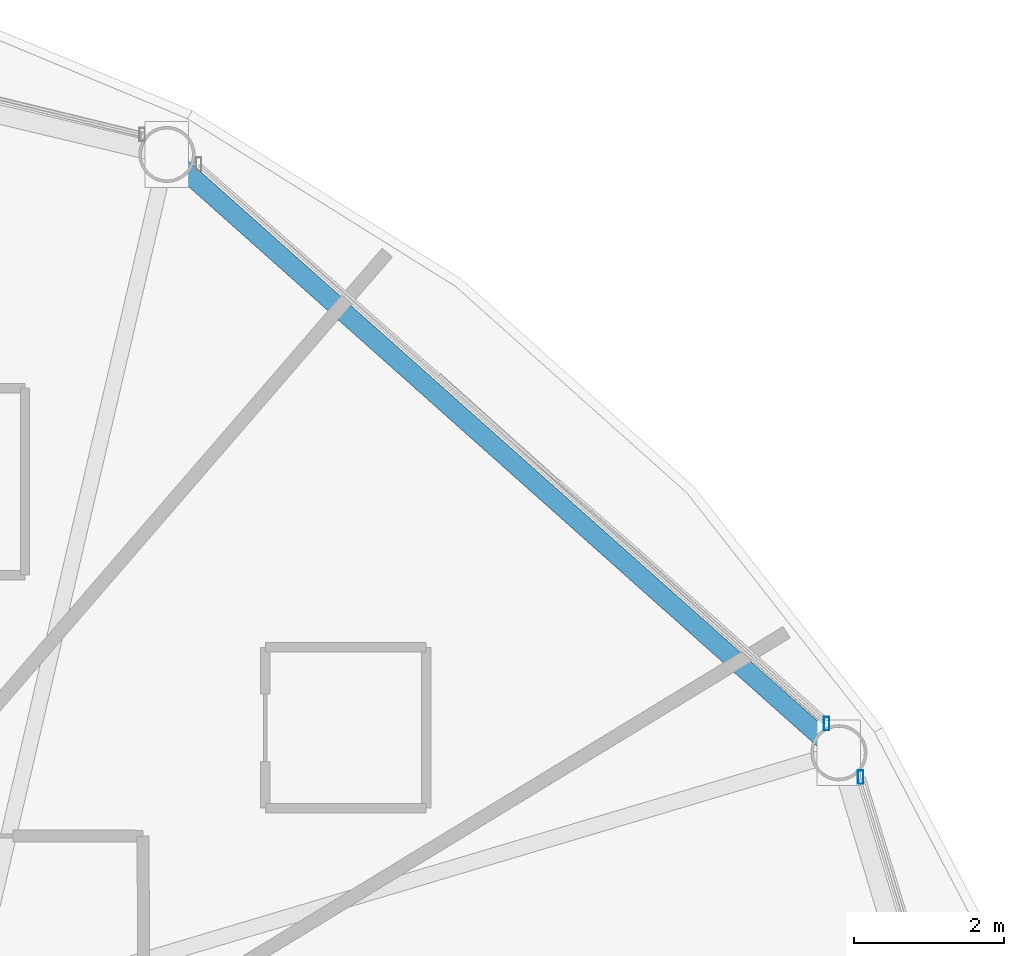
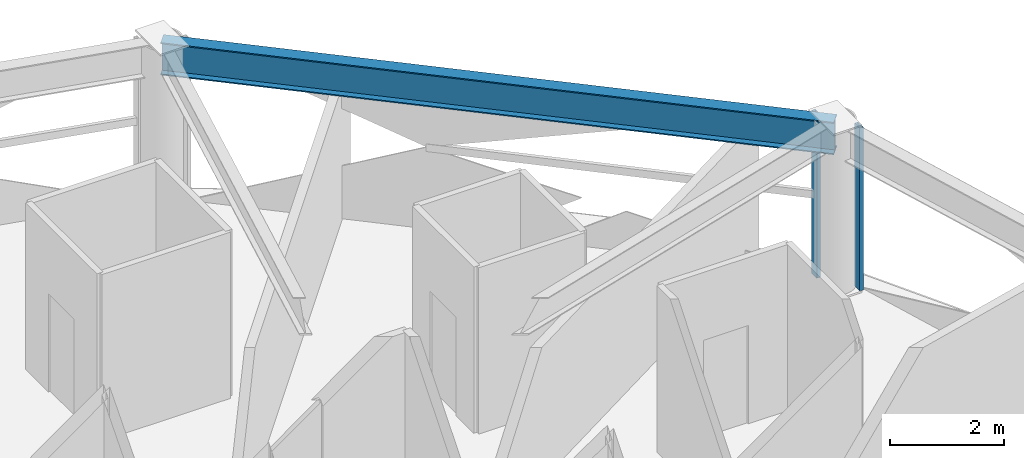
# One storey, part 19 of 29: 2 members, 1 beam, 2 elements without a shape of their own.
"""IFC4 building model written with IfcOpenShell, lengths in metres."""

from ifc_helpers import new_model, si_unit, direction, frame, origin, origin_2d, place, context, subcontext, project, spatial, hollow_rectangle, i_section, extrude, material, layer, layer_set, material_profile, profile_set, type_object, element, aggregate, save


model = new_model("IFC4")

# Units and contexts
model_context = context("Model", 3, precision=1e-05, world=origin(), true_north=direction((0.0, 1.0)))
body_context = subcontext(model_context, "Body", "Model", "MODEL_VIEW")
ifc_project = project(units=[si_unit("LENGTHUNIT", "METRE"), si_unit("AREAUNIT", "SQUARE_METRE"), si_unit("VOLUMEUNIT", "CUBIC_METRE"), si_unit("PLANEANGLEUNIT", "RADIAN"), si_unit("MASSUNIT", "GRAM", prefix="KILO")], contexts=[model_context])

# Site, building, storey
site_placement = place(None, origin())
site = spatial("IfcSite", under=ifc_project, at=site_placement, CompositionType="ELEMENT")
building_placement = place(site_placement, origin())
building = spatial("IfcBuilding", under=site, at=building_placement, Name="Vantalir Tower", CompositionType="ELEMENT")
storey_placement = place(building_placement, frame((0.0, 0.0, 168.449951171875)))
storey = spatial("IfcBuildingStorey", under=building, at=storey_placement, Name="L42", CompositionType="ELEMENT", Elevation=168.449951171875)

# Beam
ifc_material_1 = material(Name="Steel S460", Category="steel")
ifc_material_profile_1 = material_profile(ifc_material_1, i_section(OverallWidth=0.256103515625, OverallDepth=0.693115234375, WebThickness=0.014404296875, FlangeThickness=0.023681640625, at=origin_2d()), Name="Steel S460")
ifc_profile_set_1 = profile_set([ifc_material_profile_1], Name="Steel S460")
beam_type = type_object("IfcBeamType", Name="BM-RG-686x254", PredefinedType="USERDEFINED", material=ifc_profile_set_1)
beam_placement = place(storey_placement, frame((52.7490234375, 35.924072265625, 3.22412109375), z_axis=(-0.746841140724, 0.66500248911, 0.0), x_axis=(-0.66500248911, -0.746841140724, 0.0)))
element("IfcBeam", 1, at=beam_placement, inside=storey, type_object=beam_type, Name="L42 Circumferential Ring Girder 02", ObjectType="GIRDER", PredefinedType="USERDEFINED", context=body_context, shape_type="SweptSolid", body=[
    extrude(i_section(OverallWidth=0.256103515625, OverallDepth=0.693115234375, WebThickness=0.014404296875, FlangeThickness=0.023681640625, at=origin_2d()), origin(), (0.0, 0.0, 1.0), 12.025146484375),
])

# Curtain wall, member
ifc_material_2 = material(Name="Champagne-silver PVDF aluminium and double-silver Low-E glass", Category="aluminium")
ifc_layer = layer(ifc_material_2, 0.199951171875)
ifc_layer_set = layer_set([ifc_layer], Name="Champagne-silver PVDF aluminium and double-silver Low-E glass")
curtain_wall_type = type_object("IfcCurtainWallType", Name="CW-DIAMOND-Z2", PredefinedType="USERDEFINED", material=ifc_layer_set)
curtain_wall_1_placement = place(storey_placement, origin())
curtain_wall_1 = element("IfcCurtainWall", 2, at=curtain_wall_1_placement, inside=storey, type_object=curtain_wall_type, Name="L42 Quilted Pyramid-Diamond Curtain Wall S01", ObjectType="UNITISED CURTAIN WALL", PredefinedType="USERDEFINED")
ifc_material_3 = material(Name="Champagne-silver PVDF aluminium 6063-T6", Category="aluminium")
ifc_material_profile_2 = material_profile(ifc_material_3, hollow_rectangle(XDim=0.074951171875, YDim=0.179931640625, WallThickness=0.00390625, at=origin_2d()), Name="Champagne-silver PVDF aluminium 6063-T6")
ifc_profile_set_2 = profile_set([ifc_material_profile_2], Name="Champagne-silver PVDF aluminium 6063-T6")
member_type = type_object("IfcMemberType", Name="CWM-180x75", PredefinedType="MULLION", material=ifc_profile_set_2)
member_1_placement = place(storey_placement, frame((53.0400390625, 35.597900390625, 0.045166015625), z_axis=(0.0, 0.0, 1.0), x_axis=(1.0, 0.0, 0.0)))
member_1 = element("IfcMember", 3, at=member_1_placement, type_object=member_type, Name="CW-L42-S01 Mullion 2", PredefinedType="MULLION", context=body_context, shape_type="SweptSolid", body=[
    extrude(hollow_rectangle(XDim=0.074951171875, YDim=0.179931640625, WallThickness=0.00390625, at=origin_2d()), origin(), (0.0, 0.0, 1.0), 3.47998046875),
])
aggregate(curtain_wall_1, [member_1])

curtain_wall_2_placement = place(storey_placement, origin())
curtain_wall_2 = element("IfcCurtainWall", 4, at=curtain_wall_2_placement, inside=storey, type_object=curtain_wall_type, Name="L42 Quilted Pyramid-Diamond Curtain Wall S02", ObjectType="UNITISED CURTAIN WALL", PredefinedType="USERDEFINED")
member_2_placement = place(storey_placement, frame((52.5849609375, 36.31201171875, 0.045166015625), z_axis=(0.0, 0.0, 1.0), x_axis=(1.0, 0.0, 0.0)))
member_2 = element("IfcMember", 5, at=member_2_placement, type_object=member_type, Name="CW-L42-S02 Mullion 1", PredefinedType="MULLION", context=body_context, shape_type="SweptSolid", body=[
    extrude(hollow_rectangle(XDim=0.074951171875, YDim=0.179931640625, WallThickness=0.00390625, at=origin_2d()), origin(), (0.0, 0.0, 1.0), 3.47998046875),
])
aggregate(curtain_wall_2, [member_2])

save(model, "model.ifc")
